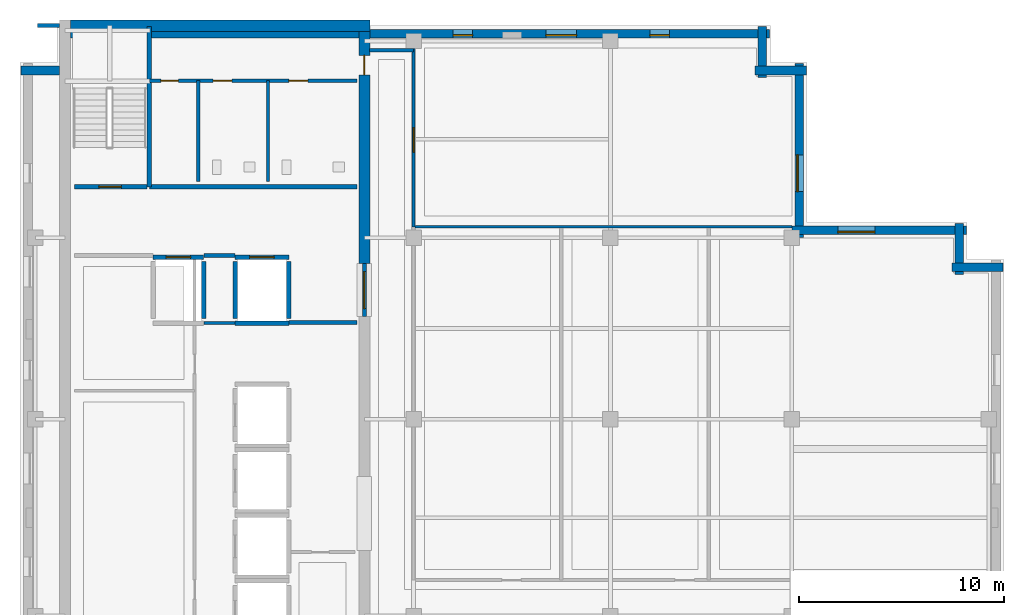
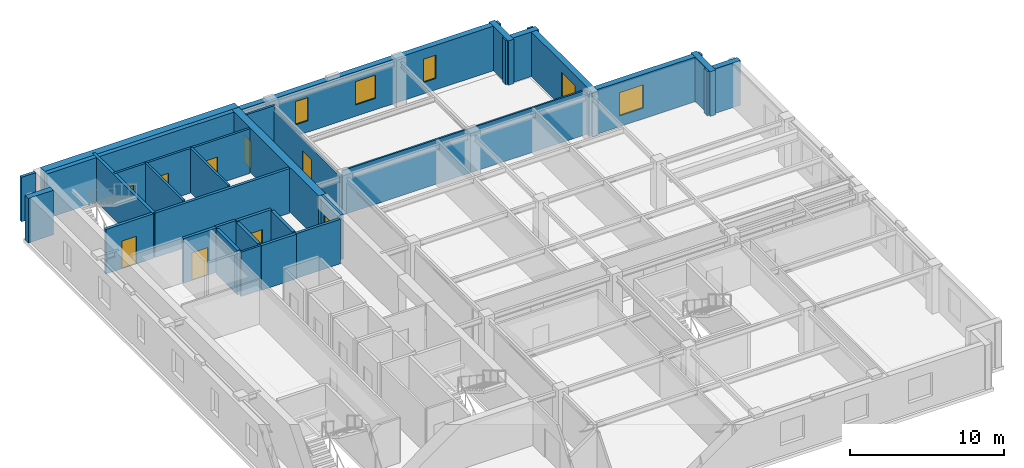
# One storey, part 5 of 10: 30 walls, 9 doors, 5 windows, 14 openings.
"""IFC4 building model written with IfcOpenShell, lengths in metres."""

from ifc_helpers import new_model, si_unit, direction, frame, frame_2d, origin, place, context, subcontext, project, spatial, rectangle, extrude, material, layer, layer_set, type_object, element, fill, save


model = new_model("IFC4")

# Units and contexts
model_context = context("Model", 3, precision=1e-05, world=origin(), true_north=direction((0.0, 1.0)))
body_context = subcontext(model_context, "Body", "Model", "MODEL_VIEW")
ifc_project = project(units=[si_unit("LENGTHUNIT", "METRE"), si_unit("AREAUNIT", "SQUARE_METRE"), si_unit("VOLUMEUNIT", "CUBIC_METRE"), si_unit("PLANEANGLEUNIT", "RADIAN"), si_unit("MASSUNIT", "GRAM", prefix="KILO")], contexts=[model_context])

# Site, building, storey
site_placement = place(None, origin())
site = spatial("IfcSite", under=ifc_project, at=site_placement, CompositionType="ELEMENT")
building_placement = place(site_placement, origin())
building = spatial("IfcBuilding", under=site, at=building_placement, Name="Norrvale University Quadrangle", CompositionType="ELEMENT")
storey_placement = place(building_placement, frame((0.0, 0.0, 273.39990234375)))
storey = spatial("IfcBuildingStorey", under=building, at=storey_placement, Name="L69", CompositionType="ELEMENT", Elevation=273.39990234375)

# Walls
ifc_material_1 = material(Name="Buff Norman Clay Brick Masonry", Category="masonry")
ifc_layer_1 = layer(ifc_material_1, 0.419921875, Name="Buff Norman Clay Brick Masonry")
ifc_layer_set_1 = layer_set([ifc_layer_1], Name="Buff Norman Clay Brick Masonry")
wall_type_1 = type_object("IfcWallType", Name="Wall Buff Brick 420", PredefinedType="SOLIDWALL", material=ifc_layer_set_1)
for number, where, z_axis, x_axis, name in (
    (1, (47.9599609375, 36.2099609375, 0.0), (0.0, 0.0, 1.0), (-1.0, 0.0, 0.0), "Exterior Brick Facade Wall L69-05.1"),
    (2, (45.81005859375, 35.860107421875, 0.0), (0.0, 0.0, 1.0), (0.0, 1.0, 0.0), "Exterior Brick Facade Wall L69-06.1"),
):
    element("IfcWall", number, at=place(storey_placement, frame(where, z_axis=z_axis, x_axis=x_axis)), inside=storey, type_object=wall_type_1, Name=name, PredefinedType="SOLIDWALL", context=body_context, shape_type="SweptSolid", body=[
        extrude(rectangle(XDim=2.5, YDim=0.419921875, at=frame_2d((1.25, 0.0))), origin(), (0.0, 0.0, 1.0), 3.5400390625),
    ])

# Wall, opening, window
wall_1_placement = place(storey_placement, frame((46.159912109375, 38.010009765625, 0.0), z_axis=(0.0, 0.0, 1.0), x_axis=(-1.0, 0.0, 0.0)))
wall_1 = element("IfcWall", 3, at=wall_1_placement, inside=storey, type_object=wall_type_1, Name="Exterior Brick Facade Wall L69-07.1", PredefinedType="SOLIDWALL", context=body_context, shape_type="SweptSolid", body=[
    extrude(rectangle(XDim=8.5, YDim=0.419921875, at=frame_2d((4.25, 0.0))), origin(), (0.0, 0.0, 1.0), 3.5400390625),
])
opening_1_placement = place(wall_1_placement, frame((4.4599609375, 0.0, 0.85009765625)))
opening_1 = element("IfcOpeningElement", 4, at=opening_1_placement, cuts=wall_1, Name="Opening W01", PredefinedType="OPENING", context=body_context, shape_type="SweptSolid", body=[
    extrude(rectangle(XDim=1.800048828125, YDim=1.85009765625, at=frame_2d((0.89990234375, 0.925048828125))), frame((0.0, 0.221923828125, 0.0), z_axis=(0.0, -1.0, 0.0), x_axis=(1.0, 0.0, 0.0)), (0.0, 0.0, 1.0), 0.44384765625),
])
ifc_material_2 = material(Name="Triple Low-E Argon Glazing", Category="glass")
window_type_1 = type_object("IfcWindowType", Name="Window Academic 1800x2300", PartitioningType="DOUBLE_PANEL_VERTICAL", PredefinedType="WINDOW", material=ifc_material_2)
window_1_placement = place(opening_1_placement, origin())
window_1 = element("IfcWindow", 5, at=window_1_placement, inside=storey, type_object=window_type_1, Name="Window Academic 1800x2300 WIN-L69-E07-1-01", OverallHeight=1.85009765625, OverallWidth=1.800048828125, PartitioningType="DOUBLE_PANEL_VERTICAL", PredefinedType="WINDOW", context=body_context, shape_type="SweptSolid", body=[
    extrude(rectangle(XDim=1.800048828125, YDim=1.85009765625, at=frame_2d((0.89990234375, 0.925048828125))), frame((0.0, 0.110107421875, 0.0), z_axis=(0.0, -1.0, 0.0), x_axis=(1.0, 0.0, 0.0)), (0.0, 0.0, 1.0), 0.06005859375),
])
fill(opening_1, window_1)

wall_2_placement = place(storey_placement, frame((38.010009765625, 37.659912109375, 0.0), z_axis=(0.0, 0.0, 1.0), x_axis=(0.0, 1.0, 0.0)))
wall_2 = element("IfcWall", 6, at=wall_2_placement, inside=storey, type_object=wall_type_1, Name="Exterior Brick Facade Wall L69-08.1", PredefinedType="SOLIDWALL", context=body_context, shape_type="SweptSolid", body=[
    extrude(rectangle(XDim=8.5, YDim=0.419921875, at=frame_2d((4.25, 0.0))), origin(), (0.0, 0.0, 1.0), 3.5400390625),
])
opening_2_placement = place(wall_2_placement, frame((2.239990234375, 0.0, 0.85009765625)))
opening_2 = element("IfcOpeningElement", 7, at=opening_2_placement, cuts=wall_2, Name="Opening W01", PredefinedType="OPENING", context=body_context, shape_type="SweptSolid", body=[
    extrude(rectangle(XDim=1.800048828125, YDim=1.85009765625, at=frame_2d((0.89990234375, 0.925048828125))), frame((0.0, 0.221923828125, 0.0), z_axis=(0.0, -1.0, 0.0), x_axis=(1.0, 0.0, 0.0)), (0.0, 0.0, 1.0), 0.44384765625),
])
window_2_placement = place(opening_2_placement, origin())
window_2 = element("IfcWindow", 8, at=window_2_placement, inside=storey, type_object=window_type_1, Name="Window Academic 1800x2300 WIN-L69-E08-1-01", OverallHeight=1.85009765625, OverallWidth=1.800048828125, PartitioningType="DOUBLE_PANEL_VERTICAL", PredefinedType="WINDOW", context=body_context, shape_type="SweptSolid", body=[
    extrude(rectangle(XDim=1.800048828125, YDim=1.85009765625, at=frame_2d((0.89990234375, 0.925048828125))), frame((0.0, 0.110107421875, 0.0), z_axis=(0.0, -1.0, 0.0), x_axis=(1.0, 0.0, 0.0)), (0.0, 0.0, 1.0), 0.06005859375),
])
fill(opening_2, window_2)

# Walls
for number, where, z_axis, x_axis, name in (
    (9, (38.360107421875, 45.81005859375, 0.0), (0.0, 0.0, 1.0), (-1.0, 0.0, 0.0), "Exterior Brick Facade Wall L69-09.1"),
    (10, (36.2099609375, 45.4599609375, 0.0), (0.0, 0.0, 1.0), (0.0, 1.0, 0.0), "Exterior Brick Facade Wall L69-10.1"),
):
    element("IfcWall", number, at=place(storey_placement, frame(where, z_axis=z_axis, x_axis=x_axis)), inside=storey, type_object=wall_type_1, Name=name, PredefinedType="SOLIDWALL", context=body_context, shape_type="SweptSolid", body=[
        extrude(rectangle(XDim=2.5, YDim=0.419921875, at=frame_2d((1.25, 0.0))), origin(), (0.0, 0.0, 1.0), 3.5400390625),
    ])

# Wall, openings, windows
wall_3_placement = place(storey_placement, frame((36.56005859375, 47.610107421875, 0.0), z_axis=(0.0, 0.0, 1.0), x_axis=(-1.0, 0.0, 0.0)))
wall_3 = element("IfcWall", 11, at=wall_3_placement, inside=storey, type_object=wall_type_1, Name="Exterior Brick Facade Wall L69-11.1", PredefinedType="SOLIDWALL", context=body_context, shape_type="SweptSolid", body=[
    extrude(rectangle(XDim=34.0849609375, YDim=0.419921875, at=frame_2d((17.04248046875, 0.0))), origin(), (0.0, 0.0, 1.0), 3.5400390625),
])
opening_3_placement = place(wall_3_placement, frame((4.885009765625, 0.0, 0.89990234375)))
opening_3 = element("IfcOpeningElement", 12, at=opening_3_placement, cuts=wall_3, Name="Opening W04", PredefinedType="OPENING", context=body_context, shape_type="SweptSolid", body=[
    extrude(rectangle(XDim=0.949951171875, YDim=1.85009765625, at=frame_2d((0.47509765625, 0.925048828125))), frame((0.0, 0.221923828125, 0.0), z_axis=(0.0, -1.0, 0.0), x_axis=(1.0, 0.0, 0.0)), (0.0, 0.0, 1.0), 0.44384765625),
])
opening_4_placement = place(wall_3_placement, frame((9.409912109375, 0.0, 0.89990234375)))
opening_4 = element("IfcOpeningElement", 13, at=opening_4_placement, cuts=wall_3, Name="Opening W03", PredefinedType="OPENING", context=body_context, shape_type="SweptSolid", body=[
    extrude(rectangle(XDim=1.5, YDim=1.85009765625, at=frame_2d((0.75, 0.925048828125))), frame((0.0, 0.221923828125, 0.0), z_axis=(0.0, -1.0, 0.0), x_axis=(1.0, 0.0, 0.0)), (0.0, 0.0, 1.0), 0.44384765625),
])
opening_5_placement = place(wall_3_placement, frame((14.485107421875, 0.0, 0.89990234375)))
opening_5 = element("IfcOpeningElement", 14, at=opening_5_placement, cuts=wall_3, Name="Opening W04", PredefinedType="OPENING", context=body_context, shape_type="SweptSolid", body=[
    extrude(rectangle(XDim=0.949951171875, YDim=1.85009765625, at=frame_2d((0.47509765625, 0.925048828125))), frame((0.0, 0.221923828125, 0.0), z_axis=(0.0, -1.0, 0.0), x_axis=(1.0, 0.0, 0.0)), (0.0, 0.0, 1.0), 0.44384765625),
])
window_type_2 = type_object("IfcWindowType", Name="Window Narrow Pier 950x2300", PartitioningType="SINGLE_PANEL", PredefinedType="WINDOW", material=ifc_material_2)
window_3_placement = place(opening_3_placement, origin())
window_3 = element("IfcWindow", 15, at=window_3_placement, inside=storey, type_object=window_type_2, Name="Window Narrow Pier 950x2300 WIN-L69-E11-1-01", OverallHeight=1.85009765625, OverallWidth=0.949951171875, PartitioningType="SINGLE_PANEL", PredefinedType="WINDOW", context=body_context, shape_type="SweptSolid", body=[
    extrude(rectangle(XDim=0.949951171875, YDim=1.85009765625, at=frame_2d((0.47509765625, 0.925048828125))), frame((0.0, 0.110107421875, 0.0), z_axis=(0.0, -1.0, 0.0), x_axis=(1.0, 0.0, 0.0)), (0.0, 0.0, 1.0), 0.06005859375),
])
fill(opening_3, window_3)
window_4_placement = place(opening_5_placement, origin())
window_4 = element("IfcWindow", 16, at=window_4_placement, inside=storey, type_object=window_type_2, Name="Window Narrow Pier 950x2300 WIN-L69-E11-1-03", OverallHeight=1.85009765625, OverallWidth=0.949951171875, PartitioningType="SINGLE_PANEL", PredefinedType="WINDOW", context=body_context, shape_type="SweptSolid", body=[
    extrude(rectangle(XDim=0.949951171875, YDim=1.85009765625, at=frame_2d((0.47509765625, 0.925048828125))), frame((0.0, 0.110107421875, 0.0), z_axis=(0.0, -1.0, 0.0), x_axis=(1.0, 0.0, 0.0)), (0.0, 0.0, 1.0), 0.06005859375),
])
fill(opening_5, window_4)
window_type_3 = type_object("IfcWindowType", Name="Window Studio 1500x2300", PartitioningType="DOUBLE_PANEL_VERTICAL", PredefinedType="WINDOW", material=ifc_material_2)
window_5_placement = place(opening_4_placement, origin())
window_5 = element("IfcWindow", 17, at=window_5_placement, inside=storey, type_object=window_type_3, Name="Window Studio 1500x2300 WIN-L69-E11-1-02", OverallHeight=1.85009765625, OverallWidth=1.5, PartitioningType="DOUBLE_PANEL_VERTICAL", PredefinedType="WINDOW", context=body_context, shape_type="SweptSolid", body=[
    extrude(rectangle(XDim=1.5, YDim=1.85009765625, at=frame_2d((0.75, 0.925048828125))), frame((0.0, 0.110107421875, 0.0), z_axis=(0.0, -1.0, 0.0), x_axis=(1.0, 0.0, 0.0)), (0.0, 0.0, 1.0), 0.06005859375),
])
fill(opening_4, window_5)

# Walls
wall_4_placement = place(storey_placement, frame((1.925048828125, 45.81005859375, 0.0), z_axis=(0.0, 0.0, 1.0), x_axis=(-1.0, 0.0, 0.0)))
element("IfcWall", 18, at=wall_4_placement, inside=storey, type_object=wall_type_1, Name="Exterior Brick Facade Wall L69-13.1", PredefinedType="SOLIDWALL", context=body_context, shape_type="SweptSolid", body=[
    extrude(rectangle(XDim=1.885009765625, YDim=0.419921875, at=frame_2d((0.9423828125, 0.0))), origin(), (0.0, 0.0, 1.0), 3.5400390625),
])
ifc_material_3 = material(Name="Concrete C60/75", Category="concrete")
ifc_layer_2 = layer(ifc_material_3, 0.550048828125, Name="Concrete C60/75")
ifc_layer_set_2 = layer_set([ifc_layer_2], Name="Concrete C60/75")
wall_type_2 = type_object("IfcWallType", Name="Wall Core 550", PredefinedType="SHEAR", material=ifc_layer_set_2)
wall_5_placement = place(storey_placement, frame((2.47509765625, 48.0, 0.0), z_axis=(0.0, 0.0, 1.0), x_axis=(1.0, 0.0, 0.0)))
element("IfcWall", 19, at=wall_5_placement, inside=storey, type_object=wall_type_2, Name="Tower Core Shear Wall L69-N", PredefinedType="SHEAR", context=body_context, shape_type="SweptSolid", body=[
    extrude(rectangle(XDim=14.599853515625, YDim=0.550048828125, at=frame_2d((7.2998046875, 0.0))), origin(), (0.0, 0.0, 1.0), 3.5400390625),
])

# Wall, opening, door
wall_6_placement = place(storey_placement, frame((16.800048828125, 36.39990234375, 0.0), z_axis=(0.0, 0.0, 1.0), x_axis=(0.0, 1.0, 0.0)))
wall_6 = element("IfcWall", 20, at=wall_6_placement, inside=storey, type_object=wall_type_2, Name="Tower Core Shear Wall L69-E3", PredefinedType="SHEAR", context=body_context, shape_type="SweptSolid", body=[
    extrude(rectangle(XDim=11.3251953125, YDim=0.550048828125, at=frame_2d((5.66259765625, 0.0))), origin(), (0.0, 0.0, 1.0), 3.5400390625),
])
opening_6_placement = place(wall_6_placement, frame((9.199951171875, 0.0, 0.0)))
opening_6 = element("IfcOpeningElement", 21, at=opening_6_placement, cuts=wall_6, Name="Opening D07", PredefinedType="OPENING", context=body_context, shape_type="SweptSolid", body=[
    extrude(rectangle(XDim=0.949951171875, YDim=2.14990234375, at=frame_2d((0.47509765625, 1.074951171875))), frame((0.0, 0.287109375, 0.0), z_axis=(0.0, -1.0, 0.0), x_axis=(1.0, 0.0, 0.0)), (0.0, 0.0, 1.0), 0.573974609375),
])
ifc_material_4 = material(Name="Solid-Core Maple Door", Category="wood")
door_type_1 = type_object("IfcDoorType", Name="Door Office 950x2150", OperationType="NOTDEFINED", PredefinedType="DOOR", material=ifc_material_4)
door_1_placement = place(opening_6_placement, origin())
door_1 = element("IfcDoor", 22, at=door_1_placement, inside=storey, type_object=door_type_1, Name="Door Office 950x2150 DR-L69-NECORR", OperationType="SINGLE_SWING_RIGHT", OverallHeight=2.14990234375, OverallWidth=0.949951171875, PredefinedType="DOOR", context=body_context, shape_type="SweptSolid", body=[
    extrude(rectangle(XDim=0.949951171875, YDim=2.14990234375, at=frame_2d((0.47509765625, 1.074951171875))), frame((0.0, 0.02490234375, 0.0), z_axis=(0.0, -1.0, 0.0), x_axis=(1.0, 0.0, 0.0)), (0.0, 0.0, 1.0), 0.050048828125),
])
fill(opening_6, door_1)

# Walls
ifc_material_5 = material(Name="Standard Academic Gypsum Partition")
ifc_layer_3 = layer(ifc_material_5, 0.125, Name="Standard Academic Gypsum Partition")
ifc_layer_set_3 = layer_set([ifc_layer_3], Name="Standard Academic Gypsum Partition")
wall_type_3 = type_object("IfcWallType", Name="Wall Gypsum Academic 125", PredefinedType="PARTITIONING", material=ifc_layer_set_3)
wall_7_placement = place(storey_placement, frame((19.280029296875, 38.179931640625, 0.0), z_axis=(0.0, 0.0, 1.0), x_axis=(1.0, 0.0, 0.0)))
element("IfcWall", 23, at=wall_7_placement, inside=storey, type_object=wall_type_3, Name="Interior Partition WL-L69-ME-N", PredefinedType="PARTITIONING", context=body_context, shape_type="SweptSolid", body=[
    extrude(rectangle(XDim=18.369873046875, YDim=0.125, at=frame_2d((9.18505859375, 0.0))), origin(), (0.0, 0.0, 1.0), 3.5400390625),
])
ifc_material_6 = material(Name="Fire-Rated Gypsum Stud Partition")
ifc_layer_4 = layer(ifc_material_6, 0.14990234375, Name="Fire-Rated Gypsum Stud Partition")
ifc_layer_set_4 = layer_set([ifc_layer_4], Name="Fire-Rated Gypsum Stud Partition")
wall_type_4 = type_object("IfcWallType", Name="Wall Gypsum Corridor 150", PredefinedType="PARTITIONING", material=ifc_layer_set_4)
wall_8_placement = place(storey_placement, frame((8.965087890625, 33.489990234375, 0.0), z_axis=(0.0, 0.0, 1.0), x_axis=(1.0, 0.0, 0.0)))
element("IfcWall", 24, at=wall_8_placement, inside=storey, type_object=wall_type_4, Name="Interior Partition WL-L69-LL3", PredefinedType="PARTITIONING", context=body_context, shape_type="SweptSolid", body=[
    extrude(rectangle(XDim=1.52001953125, YDim=0.14990234375, at=frame_2d((0.760009765625, 0.0))), origin(), (0.0, 0.0, 1.0), 3.5400390625),
])
wall_9_placement = place(storey_placement, frame((17.050048828125, 46.800048828125, 0.0), z_axis=(0.0, 0.0, 1.0), x_axis=(1.0, 0.0, 0.0)))
element("IfcWall", 25, at=wall_9_placement, inside=storey, type_object=wall_type_4, Name="Interior Partition WL-L69-CSP-N", PredefinedType="PARTITIONING", context=body_context, shape_type="SweptSolid", body=[
    extrude(rectangle(XDim=2.14990234375, YDim=0.14990234375, at=frame_2d((1.074951171875, 0.0))), origin(), (0.0, 0.0, 1.0), 3.5400390625),
])

# Wall, opening, door
wall_10_placement = place(storey_placement, frame((19.199951171875, 38.179931640625, 0.0), z_axis=(0.0, 0.0, 1.0), x_axis=(0.0, 1.0, 0.0)))
wall_10 = element("IfcWall", 26, at=wall_10_placement, inside=storey, type_object=wall_type_4, Name="Interior Partition WL-L69-NECW", PredefinedType="PARTITIONING", context=body_context, shape_type="SweptSolid", body=[
    extrude(rectangle(XDim=9.27001953125, YDim=0.14990234375, at=frame_2d((4.635009765625, 0.0))), origin(), (0.0, 0.0, 1.0), 3.123046875),
])
opening_7_placement = place(wall_10_placement, frame((3.64990234375, 0.0, 0.0)))
opening_7 = element("IfcOpeningElement", 27, at=opening_7_placement, cuts=wall_10, Name="Opening D05", PredefinedType="OPENING", context=body_context, shape_type="SweptSolid", body=[
    extrude(rectangle(XDim=1.199951171875, YDim=2.199951171875, at=frame_2d((0.60009765625, 1.10009765625))), frame((0.0, 0.0869140625, 0.0), z_axis=(0.0, -1.0, 0.0), x_axis=(1.0, 0.0, 0.0)), (0.0, 0.0, 1.0), 0.173828125),
])
ifc_material_7 = material(Name="Acoustic Oak Classroom Door", Category="wood")
door_type_2 = type_object("IfcDoorType", Name="Door Classroom 1200x2200", OperationType="NOTDEFINED", PredefinedType="DOOR", material=ifc_material_7)
door_2_placement = place(opening_7_placement, origin())
door_2 = element("IfcDoor", 28, at=door_2_placement, inside=storey, type_object=door_type_2, Name="Door Classroom 1200x2200 DR-L69-NE01", OperationType="SINGLE_SWING_RIGHT", OverallHeight=2.199951171875, OverallWidth=1.199951171875, PredefinedType="DOOR", context=body_context, shape_type="SweptSolid", body=[
    extrude(rectangle(XDim=1.199951171875, YDim=2.199951171875, at=frame_2d((0.60009765625, 1.10009765625))), frame((0.0, 0.02490234375, 0.0), z_axis=(0.0, -1.0, 0.0), x_axis=(1.0, 0.0, 0.0)), (0.0, 0.0, 1.0), 0.050048828125),
])
fill(opening_7, door_2)

# Wall, openings, doors
ifc_material_8 = material(Name="Sanitary Chase Gypsum Partition")
ifc_layer_5 = layer(ifc_material_8, 0.1650390625, Name="Sanitary Chase Gypsum Partition")
ifc_layer_set_5 = layer_set([ifc_layer_5], Name="Sanitary Chase Gypsum Partition")
wall_type_5 = type_object("IfcWallType", Name="Wall Gypsum Sanitary 165", PredefinedType="PLUMBINGWALL", material=ifc_layer_set_5)
wall_11_placement = place(storey_placement, frame((6.320068359375, 45.320068359375, 0.0), z_axis=(0.0, 0.0, 1.0), x_axis=(1.0, 0.0, 0.0)))
wall_11 = element("IfcWall", 29, at=wall_11_placement, inside=storey, type_object=wall_type_5, Name="Interior Partition WL-L69-WCN", PredefinedType="PLUMBINGWALL", context=body_context, shape_type="SweptSolid", body=[
    extrude(rectangle(XDim=10.1298828125, YDim=0.1650390625, at=frame_2d((5.06494140625, 0.0))), origin(), (0.0, 0.0, 1.0), 3.5400390625),
])
opening_8_placement = place(wall_11_placement, frame((0.550048828125, 0.0, 0.0)))
opening_8 = element("IfcOpeningElement", 30, at=opening_8_placement, cuts=wall_11, Name="Opening D10", PredefinedType="OPENING", context=body_context, shape_type="SweptSolid", body=[
    extrude(rectangle(XDim=0.85009765625, YDim=2.10009765625, at=frame_2d((0.425048828125, 1.050048828125))), frame((0.0, 0.094482421875, 0.0), z_axis=(0.0, -1.0, 0.0), x_axis=(1.0, 0.0, 0.0)), (0.0, 0.0, 1.0), 0.18896484375),
])
opening_9_placement = place(wall_11_placement, frame((3.10009765625, 0.0, 0.0)))
opening_9 = element("IfcOpeningElement", 31, at=opening_9_placement, cuts=wall_11, Name="Opening D08", PredefinedType="OPENING", context=body_context, shape_type="SweptSolid", body=[
    extrude(rectangle(XDim=0.919921875, YDim=2.14990234375, at=frame_2d((0.4599609375, 1.074951171875))), frame((0.0, 0.094482421875, 0.0), z_axis=(0.0, -1.0, 0.0), x_axis=(1.0, 0.0, 0.0)), (0.0, 0.0, 1.0), 0.18896484375),
])
opening_10_placement = place(wall_11_placement, frame((6.800048828125, 0.0, 0.0)))
opening_10 = element("IfcOpeningElement", 32, at=opening_10_placement, cuts=wall_11, Name="Opening D08", PredefinedType="OPENING", context=body_context, shape_type="SweptSolid", body=[
    extrude(rectangle(XDim=0.919921875, YDim=2.14990234375, at=frame_2d((0.4599609375, 1.074951171875))), frame((0.0, 0.094482421875, 0.0), z_axis=(0.0, -1.0, 0.0), x_axis=(1.0, 0.0, 0.0)), (0.0, 0.0, 1.0), 0.18896484375),
])
ifc_material_9 = material(Name="Hollow Steel 350W Riser Fire Door", Category="steel")
door_type_3 = type_object("IfcDoorType", Name="Door Riser 850x2100", OperationType="NOTDEFINED", PredefinedType="DOOR", material=ifc_material_9)
door_3_placement = place(opening_8_placement, origin())
door_3 = element("IfcDoor", 33, at=door_3_placement, inside=storey, type_object=door_type_3, Name="Door Riser 850x2100 DR-L69-WC1", OperationType="SINGLE_SWING_LEFT", OverallHeight=2.10009765625, OverallWidth=0.85009765625, PredefinedType="DOOR", context=body_context, shape_type="SweptSolid", body=[
    extrude(rectangle(XDim=0.85009765625, YDim=2.10009765625, at=frame_2d((0.425048828125, 1.050048828125))), frame((0.0, 0.02490234375, 0.0), z_axis=(0.0, -1.0, 0.0), x_axis=(1.0, 0.0, 0.0)), (0.0, 0.0, 1.0), 0.050048828125),
])
fill(opening_8, door_3)
ifc_material_10 = material(Name="Laminate Washroom Door", Category="wood")
door_type_4 = type_object("IfcDoorType", Name="Door Washroom 920x2150", OperationType="NOTDEFINED", PredefinedType="DOOR", material=ifc_material_10)
door_4_placement = place(opening_9_placement, origin())
door_4 = element("IfcDoor", 34, at=door_4_placement, inside=storey, type_object=door_type_4, Name="Door Washroom 920x2150 DR-L69-WC2", OperationType="SINGLE_SWING_RIGHT", OverallHeight=2.14990234375, OverallWidth=0.919921875, PredefinedType="DOOR", context=body_context, shape_type="SweptSolid", body=[
    extrude(rectangle(XDim=0.919921875, YDim=2.14990234375, at=frame_2d((0.4599609375, 1.074951171875))), frame((0.0, 0.02490234375, 0.0), z_axis=(0.0, -1.0, 0.0), x_axis=(1.0, 0.0, 0.0)), (0.0, 0.0, 1.0), 0.050048828125),
])
fill(opening_9, door_4)
door_5_placement = place(opening_10_placement, origin())
door_5 = element("IfcDoor", 35, at=door_5_placement, inside=storey, type_object=door_type_4, Name="Door Washroom 920x2150 DR-L69-WC3", OperationType="SINGLE_SWING_LEFT", OverallHeight=2.14990234375, OverallWidth=0.919921875, PredefinedType="DOOR", context=body_context, shape_type="SweptSolid", body=[
    extrude(rectangle(XDim=0.919921875, YDim=2.14990234375, at=frame_2d((0.4599609375, 1.074951171875))), frame((0.0, 0.02490234375, 0.0), z_axis=(0.0, -1.0, 0.0), x_axis=(1.0, 0.0, 0.0)), (0.0, 0.0, 1.0), 0.050048828125),
])
fill(opening_10, door_5)

# Walls
for number, where, z_axis, x_axis, name in (
    (36, (8.699951171875, 40.39990234375, 0.0), (0.0, 0.0, 1.0), (0.0, 1.0, 0.0), "Interior Partition WL-L69-WCM1"),
    (37, (12.10009765625, 40.39990234375, 0.0), (0.0, 0.0, 1.0), (0.0, 1.0, 0.0), "Interior Partition WL-L69-WCM2"),
):
    element("IfcWall", number, at=place(storey_placement, frame(where, z_axis=z_axis, x_axis=x_axis)), inside=storey, type_object=wall_type_5, Name=name, PredefinedType="PLUMBINGWALL", context=body_context, shape_type="SweptSolid", body=[
        extrude(rectangle(XDim=4.920166015625, YDim=0.1650390625, at=frame_2d((2.4599609375, 0.0))), origin(), (0.0, 0.0, 1.0), 3.5400390625),
    ])
ifc_material_11 = material(Name="Concrete Blockwork 20 MPa Rated Wall", Category="masonry")
ifc_layer_6 = layer(ifc_material_11, 0.199951171875, Name="Concrete Blockwork 20 MPa Rated Wall")
ifc_layer_set_6 = layer_set([ifc_layer_6], Name="Concrete Blockwork 20 MPa Rated Wall")
wall_type_6 = type_object("IfcWallType", Name="Wall Lobby 200", PredefinedType="SOLIDWALL", material=ifc_layer_set_6)
wall_12_placement = place(storey_placement, frame((8.969970703125, 36.780029296875, 0.0), z_axis=(0.0, 0.0, 1.0), x_axis=(1.0, 0.0, 0.0)))
element("IfcWall", 38, at=wall_12_placement, inside=storey, type_object=wall_type_6, Name="Interior Partition WL-L69-FF2", PredefinedType="SOLIDWALL", context=body_context, shape_type="SweptSolid", body=[
    extrude(rectangle(XDim=1.510009765625, YDim=0.199951171875, at=frame_2d((0.7548828125, 0.0))), origin(), (0.0, 0.0, 1.0), 3.5400390625),
])
wall_13_placement = place(storey_placement, frame((13.1201171875, 33.52001953125, 0.0), z_axis=(0.0, 0.0, 1.0), x_axis=(1.0, 0.0, 0.0)))
element("IfcWall", 39, at=wall_13_placement, inside=storey, type_object=wall_type_6, Name="Interior Partition WL-L69-FF3", PredefinedType="SOLIDWALL", context=body_context, shape_type="SweptSolid", body=[
    extrude(rectangle(XDim=3.329833984375, YDim=0.199951171875, at=frame_2d((1.6650390625, 0.0))), origin(), (0.0, 0.0, 1.0), 3.5400390625),
])
wall_14_placement = place(storey_placement, frame((6.320068359375, 40.139892578125, 0.0), z_axis=(0.0, 0.0, 1.0), x_axis=(1.0, 0.0, 0.0)))
element("IfcWall", 40, at=wall_14_placement, inside=storey, type_object=wall_type_6, Name="Interior Partition WL-L69-FF4", PredefinedType="SOLIDWALL", context=body_context, shape_type="SweptSolid", body=[
    extrude(rectangle(XDim=10.1298828125, YDim=0.199951171875, at=frame_2d((5.06494140625, 0.0))), origin(), (0.0, 0.0, 1.0), 3.5400390625),
])

# Wall, opening, door
wall_15_placement = place(storey_placement, frame((16.800048828125, 33.800048828125, 0.0), z_axis=(0.0, 0.0, 1.0), x_axis=(0.0, 1.0, 0.0)))
wall_15 = element("IfcWall", 41, at=wall_15_placement, inside=storey, type_object=wall_type_6, Name="Interior Partition WL-L69-FFP", PredefinedType="SOLIDWALL", context=body_context, shape_type="SweptSolid", body=[
    extrude(rectangle(XDim=2.599853515625, YDim=0.199951171875, at=frame_2d((1.2998046875, 0.0))), origin(), (0.0, 0.0, 1.0), 3.5400390625),
])
opening_11_placement = place(wall_15_placement, frame((0.39990234375, 0.0, 0.0)))
opening_11 = element("IfcOpeningElement", 42, at=opening_11_placement, cuts=wall_15, Name="Opening D03", PredefinedType="OPENING", context=body_context, shape_type="SweptSolid", body=[
    extrude(rectangle(XDim=1.800048828125, YDim=2.199951171875, at=frame_2d((0.89990234375, 1.10009765625))), frame((0.0, 0.112060546875, 0.0), z_axis=(0.0, -1.0, 0.0), x_axis=(1.0, 0.0, 0.0)), (0.0, 0.0, 1.0), 0.223876953125),
])
ifc_material_12 = material(Name="Hollow Steel 350W Fire Door", Category="steel")
door_type_5 = type_object("IfcDoorType", Name="Door Fire Lobby 1800x2200", OperationType="DOUBLE_DOOR_SINGLE_SWING", PredefinedType="DOOR", material=ifc_material_12)
door_6_placement = place(opening_11_placement, origin())
door_6 = element("IfcDoor", 43, at=door_6_placement, inside=storey, type_object=door_type_5, Name="Door Fire Lobby 1800x2200 DR-L69-FFP", OperationType="DOUBLE_DOOR_SINGLE_SWING", OverallHeight=2.199951171875, OverallWidth=1.800048828125, PredefinedType="DOOR", context=body_context, shape_type="SweptSolid", body=[
    extrude(rectangle(XDim=1.800048828125, YDim=2.199951171875, at=frame_2d((0.89990234375, 1.10009765625))), frame((0.0, 0.02490234375, 0.0), z_axis=(0.0, -1.0, 0.0), x_axis=(1.0, 0.0, 0.0)), (0.0, 0.0, 1.0), 0.050048828125),
])
fill(opening_11, door_6)

# Wall
wall_16_placement = place(storey_placement, frame((0.85009765625, 48.0, 0.0), z_axis=(0.0, 0.0, 1.0), x_axis=(1.0, 0.0, 0.0)))
element("IfcWall", 44, at=wall_16_placement, inside=storey, type_object=wall_type_6, Name="Interior Partition WL-L69-CWRET-N", PredefinedType="SOLIDWALL", context=body_context, shape_type="SweptSolid", body=[
    extrude(rectangle(XDim=1.06982421875, YDim=0.199951171875, at=frame_2d((0.534912109375, 0.0))), origin(), (0.0, 0.0, 1.0), 3.5400390625),
])

# Wall, opening, door
ifc_material_13 = material(Name="Concrete Blockwork 20 MPa Fire Shaft", Category="masonry")
ifc_layer_7 = layer(ifc_material_13, 0.219970703125, Name="Concrete Blockwork 20 MPa Fire Shaft")
ifc_layer_set_7 = layer_set([ifc_layer_7], Name="Concrete Blockwork 20 MPa Fire Shaft")
wall_type_7 = type_object("IfcWallType", Name="Wall Shaft 220", PredefinedType="SOLIDWALL", material=ifc_layer_set_7)
wall_17_placement = place(storey_placement, frame((2.64990234375, 40.139892578125, 0.0), z_axis=(0.0, 0.0, 1.0), x_axis=(1.0, 0.0, 0.0)))
wall_17 = element("IfcWall", 45, at=wall_17_placement, inside=storey, type_object=wall_type_7, Name="Stair ST-02 South Shaft Wall L69", PredefinedType="SOLIDWALL", context=body_context, shape_type="SweptSolid", body=[
    extrude(rectangle(XDim=3.550048828125, YDim=0.219970703125, at=frame_2d((1.77490234375, 0.0))), origin(), (0.0, 0.0, 1.0), 3.5400390625),
])
opening_12_placement = place(wall_17_placement, frame((1.199951171875, 0.0, 0.0)))
opening_12 = element("IfcOpeningElement", 46, at=opening_12_placement, cuts=wall_17, Name="Opening D02", PredefinedType="OPENING", context=body_context, shape_type="SweptSolid", body=[
    extrude(rectangle(XDim=1.10009765625, YDim=2.199951171875, at=frame_2d((0.550048828125, 1.10009765625))), frame((0.0, 0.1220703125, 0.0), z_axis=(0.0, -1.0, 0.0), x_axis=(1.0, 0.0, 0.0)), (0.0, 0.0, 1.0), 0.243896484375),
])
door_type_6 = type_object("IfcDoorType", Name="Door Stair Exit 1100x2200", OperationType="NOTDEFINED", PredefinedType="DOOR", material=ifc_material_12)
door_7_placement = place(opening_12_placement, origin())
door_7 = element("IfcDoor", 47, at=door_7_placement, inside=storey, type_object=door_type_6, Name="Door Stair Exit 1100x2200 DR-L69-ST02", OperationType="SINGLE_SWING_LEFT", OverallHeight=2.199951171875, OverallWidth=1.10009765625, PredefinedType="DOOR", context=body_context, shape_type="SweptSolid", body=[
    extrude(rectangle(XDim=1.10009765625, YDim=2.199951171875, at=frame_2d((0.550048828125, 1.10009765625))), frame((0.0, 0.02490234375, 0.0), z_axis=(0.0, -1.0, 0.0), x_axis=(1.0, 0.0, 0.0)), (0.0, 0.0, 1.0), 0.050048828125),
])
fill(opening_12, door_7)

# Walls
wall_18_placement = place(storey_placement, frame((6.31005859375, 40.139892578125, 0.0), z_axis=(0.0, 0.0, 1.0), x_axis=(0.0, 1.0, 0.0)))
element("IfcWall", 48, at=wall_18_placement, inside=storey, type_object=wall_type_7, Name="Stair ST-02 East Shaft Wall L69", PredefinedType="SOLIDWALL", context=body_context, shape_type="SweptSolid", body=[
    extrude(rectangle(XDim=7.81005859375, YDim=0.219970703125, at=frame_2d((3.905029296875, 0.0))), origin(), (0.0, 0.0, 1.0), 3.5400390625),
])
wall_19_placement = place(storey_placement, frame((8.9599609375, 33.7099609375, 0.0), z_axis=(0.0, 0.0, 1.0), x_axis=(0.0, 1.0, 0.0)))
element("IfcWall", 49, at=wall_19_placement, inside=storey, type_object=wall_type_7, Name="Hoistway FFL-01 East Wall L69", PredefinedType="SOLIDWALL", context=body_context, shape_type="SweptSolid", body=[
    extrude(rectangle(XDim=2.780029296875, YDim=0.219970703125, at=frame_2d((1.39013671875, 0.0))), origin(), (0.0, 0.0, 1.0), 3.5400390625),
])

# Wall, opening, door
wall_20_placement = place(storey_placement, frame((6.489990234375, 36.7099609375, 0.0), z_axis=(0.0, 0.0, 1.0), x_axis=(1.0, 0.0, 0.0)))
wall_20 = element("IfcWall", 50, at=wall_20_placement, inside=storey, type_object=wall_type_7, Name="Hoistway FFL-01 North Wall L69", PredefinedType="SOLIDWALL", context=body_context, shape_type="SweptSolid", body=[
    extrude(rectangle(XDim=2.469970703125, YDim=0.219970703125, at=frame_2d((1.23486328125, 0.0))), origin(), (0.0, 0.0, 1.0), 3.5400390625),
])
opening_13_placement = place(wall_20_placement, frame((0.635009765625, 0.0, 0.0)))
opening_13 = element("IfcOpeningElement", 51, at=opening_13_placement, cuts=wall_20, Name="Opening LD2", PredefinedType="OPENING", context=body_context, shape_type="SweptSolid", body=[
    extrude(rectangle(XDim=1.199951171875, YDim=2.199951171875, at=frame_2d((0.60009765625, 1.10009765625))), frame((0.0, 0.1220703125, 0.0), z_axis=(0.0, -1.0, 0.0), x_axis=(1.0, 0.0, 0.0)), (0.0, 0.0, 1.0), 0.243896484375),
])
ifc_material_14 = material(Name="Stainless Steel 316L Firefighter Lift Door", Category="steel")
door_type_7 = type_object("IfcDoorType", Name="Door Fire Lift 1200x2200", OperationType="DOUBLE_DOOR_SLIDING", PredefinedType="DOOR", material=ifc_material_14)
door_8_placement = place(opening_13_placement, origin())
door_8 = element("IfcDoor", 52, at=door_8_placement, inside=storey, type_object=door_type_7, Name="Elevator Landing Door DR-L69-FFL-01", OperationType="DOUBLE_DOOR_SLIDING", OverallHeight=2.199951171875, OverallWidth=1.199951171875, PredefinedType="DOOR", context=body_context, shape_type="SweptSolid", body=[
    extrude(rectangle(XDim=1.199951171875, YDim=2.199951171875, at=frame_2d((0.60009765625, 1.10009765625))), frame((0.0, 0.02490234375, 0.0), z_axis=(0.0, -1.0, 0.0), x_axis=(1.0, 0.0, 0.0)), (0.0, 0.0, 1.0), 0.050048828125),
])
fill(opening_13, door_8)

# Walls
for number, where, z_axis, x_axis, name in (
    (53, (10.489990234375, 33.7099609375, 0.0), (0.0, 0.0, 1.0), (0.0, 1.0, 0.0), "Hoistway FFL-02 West Wall L69"),
    (54, (13.110107421875, 33.7099609375, 0.0), (0.0, 0.0, 1.0), (0.0, 1.0, 0.0), "Hoistway FFL-02 East Wall L69"),
):
    element("IfcWall", number, at=place(storey_placement, frame(where, z_axis=z_axis, x_axis=x_axis)), inside=storey, type_object=wall_type_7, Name=name, PredefinedType="SOLIDWALL", context=body_context, shape_type="SweptSolid", body=[
        extrude(rectangle(XDim=2.780029296875, YDim=0.219970703125, at=frame_2d((1.39013671875, 0.0))), origin(), (0.0, 0.0, 1.0), 3.5400390625),
    ])
wall_21_placement = place(storey_placement, frame((10.489990234375, 33.489990234375, 0.0), z_axis=(0.0, 0.0, 1.0), x_axis=(1.0, 0.0, 0.0)))
element("IfcWall", 55, at=wall_21_placement, inside=storey, type_object=wall_type_7, Name="Hoistway FFL-02 South Wall L69", PredefinedType="SOLIDWALL", context=body_context, shape_type="SweptSolid", body=[
    extrude(rectangle(XDim=2.6201171875, YDim=0.219970703125, at=frame_2d((1.31005859375, 0.0))), origin(), (0.0, 0.0, 1.0), 3.5400390625),
])

# Wall, opening, door
wall_22_placement = place(storey_placement, frame((10.489990234375, 36.7099609375, 0.0), z_axis=(0.0, 0.0, 1.0), x_axis=(1.0, 0.0, 0.0)))
wall_22 = element("IfcWall", 56, at=wall_22_placement, inside=storey, type_object=wall_type_7, Name="Hoistway FFL-02 North Wall L69", PredefinedType="SOLIDWALL", context=body_context, shape_type="SweptSolid", body=[
    extrude(rectangle(XDim=2.6201171875, YDim=0.219970703125, at=frame_2d((1.31005859375, 0.0))), origin(), (0.0, 0.0, 1.0), 3.5400390625),
])
opening_14_placement = place(wall_22_placement, frame((0.7099609375, 0.0, 0.0)))
opening_14 = element("IfcOpeningElement", 57, at=opening_14_placement, cuts=wall_22, Name="Opening LD2", PredefinedType="OPENING", context=body_context, shape_type="SweptSolid", body=[
    extrude(rectangle(XDim=1.199951171875, YDim=2.199951171875, at=frame_2d((0.60009765625, 1.10009765625))), frame((0.0, 0.1220703125, 0.0), z_axis=(0.0, -1.0, 0.0), x_axis=(1.0, 0.0, 0.0)), (0.0, 0.0, 1.0), 0.243896484375),
])
door_9_placement = place(opening_14_placement, origin())
door_9 = element("IfcDoor", 58, at=door_9_placement, inside=storey, type_object=door_type_7, Name="Elevator Landing Door DR-L69-FFL-02", OperationType="DOUBLE_DOOR_SLIDING", OverallHeight=2.199951171875, OverallWidth=1.199951171875, PredefinedType="DOOR", context=body_context, shape_type="SweptSolid", body=[
    extrude(rectangle(XDim=1.199951171875, YDim=2.199951171875, at=frame_2d((0.60009765625, 1.10009765625))), frame((0.0, 0.02490234375, 0.0), z_axis=(0.0, -1.0, 0.0), x_axis=(1.0, 0.0, 0.0)), (0.0, 0.0, 1.0), 0.050048828125),
])
fill(opening_14, door_9)

save(model, "model.ifc")
